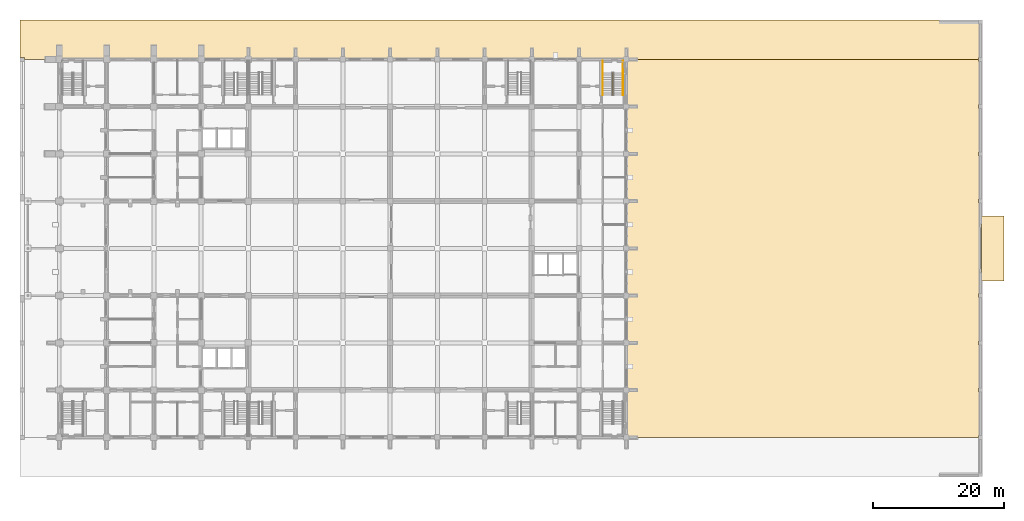
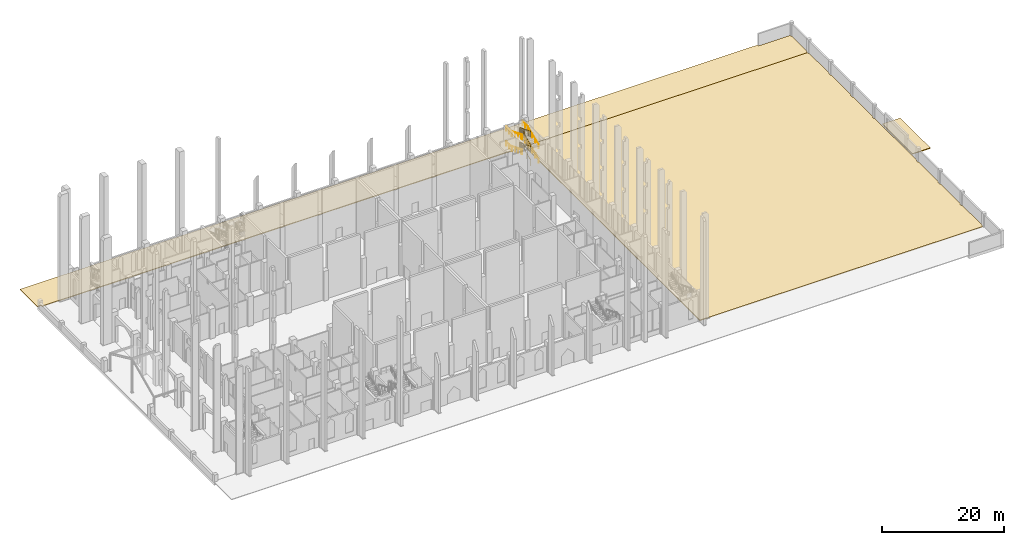
# One storey, part 50 of 50: 5 railings, 3 coverings.
"""IFC4 building model written with IfcOpenShell, lengths in metres."""

from ifc_helpers import new_model, si_unit, direction, frame, origin, origin_2d, place, context, subcontext, project, spatial, polyline, circle, outline, extrude, material, layer, layer_set, type_object, element, save


model = new_model("IFC4")

# Units and contexts
model_context = context("Model", 3, precision=1e-05, world=origin(), true_north=direction((0.0, 1.0)))
body_context = subcontext(model_context, "Body", "Model", "MODEL_VIEW")
ifc_project = project(units=[si_unit("LENGTHUNIT", "METRE"), si_unit("AREAUNIT", "SQUARE_METRE"), si_unit("VOLUMEUNIT", "CUBIC_METRE"), si_unit("PLANEANGLEUNIT", "RADIAN"), si_unit("MASSUNIT", "GRAM", prefix="KILO")], contexts=[model_context])

# Site, building, storey
site_placement = place(None, origin())
site = spatial("IfcSite", under=ifc_project, at=site_placement, CompositionType="ELEMENT")
building_placement = place(site_placement, origin())
building = spatial("IfcBuilding", under=site, at=building_placement, Name="Silangan Lancet Faculty of Sciences", CompositionType="ELEMENT")
storey_placement = place(building_placement, origin())
storey = spatial("IfcBuildingStorey", under=building, at=storey_placement, Name="L00", CompositionType="ELEMENT", Elevation=0.0)

# Coverings
ifc_material_1 = material(Name="Concrete C30/37", Category="concrete")
ifc_layer_1 = layer(ifc_material_1, 0.14990234375)
ifc_layer_set_1 = layer_set([ifc_layer_1], Name="Concrete C30/37")
covering_type_1 = type_object("IfcCoveringType", Name="PAVING 150", PredefinedType="FLOORING", material=ifc_layer_set_1)
covering_1_placement = place(storey_placement, frame((0.0, 0.0, -0.14990234375)))
element("IfcCovering", 1, at=covering_1_placement, inside=storey, type_object=covering_type_1, Name="Paving Fire Lane N", PredefinedType="FLOORING", context=body_context, shape_type="SweptSolid", body=[
    extrude(outline(polyline([(-6.0, 63.60009765625), (-6.0, 57.89990234375), (-5.300048828125, 57.89990234375), (-5.300048828125, 57.60009765625), (140.10009765625, 57.60009765625), (140.10009765625, 57.89990234375), (140.25, 57.89990234375), (140.25, 63.0), (140.10009765625, 63.0), (140.10009765625, 63.300048828125), (134.10009765625, 63.300048828125), (134.10009765625, 63.60009765625), (-6.0, 63.60009765625)])), origin(), (0.0, 0.0, 1.0), 0.14990234375),
])
covering_2_placement = place(storey_placement, frame((0.0, 0.0, -0.14990234375)))
element("IfcCovering", 2, at=covering_2_placement, inside=storey, type_object=covering_type_1, Name="Paving Service Court", PredefinedType="FLOORING", context=body_context, shape_type="SweptSolid", body=[
    extrude(outline(polyline([(86.39990234375, 0.0), (140.10009765625, 0.0), (140.10009765625, 0.300048828125), (140.25, 0.300048828125), (140.25, 6.89990234375), (140.10009765625, 6.89990234375), (140.10009765625, 7.5), (140.25, 7.5), (140.25, 14.10009765625), (140.10009765625, 14.10009765625), (140.10009765625, 14.699951171875), (140.25, 14.699951171875), (140.25, 21.300048828125), (140.10009765625, 21.300048828125), (140.10009765625, 21.89990234375), (140.25, 21.89990234375), (140.25, 35.699951171875), (140.10009765625, 35.699951171875), (140.10009765625, 36.300048828125), (140.25, 36.300048828125), (140.25, 42.89990234375), (140.10009765625, 42.89990234375), (140.10009765625, 43.5), (140.25, 43.5), (140.25, 50.10009765625), (140.10009765625, 50.10009765625), (140.10009765625, 50.699951171875), (140.25, 50.699951171875), (140.25, 57.300048828125), (140.10009765625, 57.300048828125), (140.10009765625, 57.60009765625), (86.39990234375, 57.60009765625), (86.39990234375, 0.0)])), origin(), (0.0, 0.0, 1.0), 0.14990234375),
])
ifc_material_2 = material(Name="Concrete C30/37", Category="concrete")
ifc_layer_2 = layer(ifc_material_2, 0.14990234375)
ifc_layer_set_2 = layer_set([ifc_layer_2], Name="Concrete C30/37")
covering_type_2 = type_object("IfcCoveringType", Name="PAVING APRON 150", PredefinedType="USERDEFINED", material=ifc_layer_set_2)
covering_3_placement = place(storey_placement, frame((0.0, 0.0, -0.14990234375)))
element("IfcCovering", 3, at=covering_3_placement, inside=storey, type_object=covering_type_2, Name="Paving Gate Apron", ObjectType="PAVING", PredefinedType="USERDEFINED", context=body_context, shape_type="SweptSolid", body=[
    extrude(outline(polyline([(140.550048828125, 23.85009765625), (143.949951171875, 23.85009765625), (143.949951171875, 33.75), (140.550048828125, 33.75), (140.550048828125, 23.85009765625)])), origin(), (0.0, 0.0, 1.0), 0.14990234375),
])

# Railings
ifc_material_3 = material(Name="Steel balustrade", Category="steel")
railing_type_1 = type_object("IfcRailingType", Name="STAIR GUARD 1100", PredefinedType="GUARDRAIL", material=ifc_material_3)
railing_1_placement = place(storey_placement, frame((84.39990234375, 52.14990234375, 0.136474609375)))
element("IfcRailing", 4, at=railing_1_placement, inside=storey, type_object=railing_type_1, Name="GUARD-EB-B-L00", PredefinedType="GUARDRAIL", context=body_context, shape_type="SweptSolid", body=[
    extrude(circle(Radius=0.02392578125, at=origin_2d()), frame((0.0, 0.0, 1.076171875), z_axis=(0.0, 0.928154623156, 0.372194835421), x_axis=(-1.0, 0.0, 0.0)), (0.0, 0.0, 1.0), 1.46533203125),
    extrude(circle(Radius=0.02392578125, at=origin_2d()), frame((0.0, 1.360107421875, 1.62158203125), z_axis=(0.0, 0.928154623156, 0.372194835421), x_axis=(-1.0, 0.0, 0.0)), (0.0, 0.0, 1.0), 1.46533203125),
    extrude(circle(Radius=0.02392578125, at=origin_2d()), frame((0.0, 2.72021484375, 2.1669921875), z_axis=(0.0, 0.928131538224, 0.372252397916), x_axis=(-1.0, 0.0, 0.0)), (0.0, 0.0, 1.0), 0.732666015625),
    extrude(circle(Radius=0.02392578125, at=origin_2d()), frame((0.0, 3.400146484375, 2.439453125), z_axis=(-1.0, 0.0, 0.0), x_axis=(0.0, -1.0, 0.0)), (0.0, 0.0, 1.0), 0.099853515625),
    extrude(circle(Radius=0.02392578125, at=origin_2d()), frame((-0.099853515625, 3.400146484375, 2.439453125), z_axis=(0.0, 0.0, 1.0), x_axis=(1.0, 0.0, 0.0)), (0.0, 0.0, 1.0), 0.136474609375),
    extrude(circle(Radius=0.02392578125, at=origin_2d()), frame((-0.099853515625, 3.400146484375, 2.576171875), z_axis=(0.0, -0.928154623156, 0.372194835421), x_axis=(1.0, 0.0, 0.0)), (0.0, 0.0, 1.0), 1.46533203125),
    extrude(circle(Radius=0.02392578125, at=origin_2d()), frame((-0.099853515625, 2.0400390625, 3.12158203125), z_axis=(0.0, -0.928131538224, 0.372252397916), x_axis=(1.0, 0.0, 0.0)), (0.0, 0.0, 1.0), 1.465087890625),
    extrude(circle(Radius=0.02392578125, at=origin_2d()), frame((-0.099853515625, 0.68017578125, 3.6669921875), z_axis=(0.0, -0.928177697381, 0.372137289295), x_axis=(1.0, 0.0, 0.0)), (0.0, 0.0, 1.0), 0.73291015625),
    extrude(circle(Radius=0.02392578125, at=origin_2d()), frame((-0.099853515625, 0.0, 3.939453125), z_axis=(1.0, 0.0, 0.0), x_axis=(0.0, 1.0, 0.0)), (0.0, 0.0, 1.0), 0.099853515625),
    extrude(circle(Radius=0.02392578125, at=origin_2d()), frame((0.0, 0.0, 3.939453125), z_axis=(0.0, 0.0, 1.0), x_axis=(1.0, 0.0, 0.0)), (0.0, 0.0, 1.0), 0.136474609375),
    extrude(circle(Radius=0.02392578125, at=origin_2d()), frame((0.0, 0.0, 4.076171875), z_axis=(0.0, 0.928154623156, 0.372194835421), x_axis=(-1.0, 0.0, 0.0)), (0.0, 0.0, 1.0), 1.46533203125),
    extrude(circle(Radius=0.02392578125, at=origin_2d()), frame((0.0, 1.360107421875, 4.62158203125), z_axis=(0.0, 0.928154623156, 0.372194835421), x_axis=(-1.0, 0.0, 0.0)), (0.0, 0.0, 1.0), 1.46533203125),
    extrude(circle(Radius=0.02392578125, at=origin_2d()), frame((0.0, 2.72021484375, 5.1669921875), z_axis=(0.0, 0.928131538224, 0.372252397916), x_axis=(-1.0, 0.0, 0.0)), (0.0, 0.0, 1.0), 0.732666015625),
    extrude(circle(Radius=0.02392578125, at=origin_2d()), frame((0.0, 3.400146484375, 5.439453125), z_axis=(-1.0, 0.0, 0.0), x_axis=(0.0, -1.0, 0.0)), (0.0, 0.0, 1.0), 0.099853515625),
    extrude(circle(Radius=0.02392578125, at=origin_2d()), frame((-0.099853515625, 3.400146484375, 5.439453125), z_axis=(0.0, 0.0, 1.0), x_axis=(1.0, 0.0, 0.0)), (0.0, 0.0, 1.0), 0.136474609375),
    extrude(circle(Radius=0.02392578125, at=origin_2d()), frame((-0.099853515625, 3.400146484375, 5.576171875), z_axis=(0.0, -0.928154623156, 0.372194835421), x_axis=(1.0, 0.0, 0.0)), (0.0, 0.0, 1.0), 1.46533203125),
    extrude(circle(Radius=0.02392578125, at=origin_2d()), frame((-0.099853515625, 2.0400390625, 6.12158203125), z_axis=(0.0, -0.928131538224, 0.372252397916), x_axis=(1.0, 0.0, 0.0)), (0.0, 0.0, 1.0), 1.465087890625),
    extrude(circle(Radius=0.02392578125, at=origin_2d()), frame((-0.099853515625, 0.68017578125, 6.6669921875), z_axis=(0.0, -0.928177697381, 0.372137289295), x_axis=(1.0, 0.0, 0.0)), (0.0, 0.0, 1.0), 0.73291015625),
    extrude(circle(Radius=0.02392578125, at=origin_2d()), frame((-0.099853515625, 0.0, 6.939453125), z_axis=(1.0, 0.0, 0.0), x_axis=(0.0, 1.0, 0.0)), (0.0, 0.0, 1.0), 0.099853515625),
    extrude(circle(Radius=0.02099609375, at=origin_2d()), origin(), (0.0, 0.0, 1.0), 1.052001953125),
    extrude(circle(Radius=0.02099609375, at=origin_2d()), frame((0.0, 1.360107421875, 0.54541015625)), (0.0, 0.0, 1.0), 1.052001953125),
    extrude(circle(Radius=0.02099609375, at=origin_2d()), frame((0.0, 2.72021484375, 1.0908203125)), (0.0, 0.0, 1.0), 1.052001953125),
    extrude(circle(Radius=0.02099609375, at=origin_2d()), frame((0.0, 3.400146484375, 1.363525390625)), (0.0, 0.0, 1.0), 1.052001953125),
    extrude(circle(Radius=0.02099609375, at=origin_2d()), frame((-0.099853515625, 3.400146484375, 1.363525390625)), (0.0, 0.0, 1.0), 1.052001953125),
    extrude(circle(Radius=0.02099609375, at=origin_2d()), frame((-0.099853515625, 3.400146484375, 1.5)), (0.0, 0.0, 1.0), 1.052001953125),
    extrude(circle(Radius=0.02099609375, at=origin_2d()), frame((-0.099853515625, 2.0400390625, 2.04541015625)), (0.0, 0.0, 1.0), 1.052001953125),
    extrude(circle(Radius=0.02099609375, at=origin_2d()), frame((-0.099853515625, 0.68017578125, 2.5908203125)), (0.0, 0.0, 1.0), 1.052001953125),
    extrude(circle(Radius=0.02099609375, at=origin_2d()), frame((-0.099853515625, 0.0, 2.863525390625)), (0.0, 0.0, 1.0), 1.052001953125),
    extrude(circle(Radius=0.02099609375, at=origin_2d()), frame((0.0, 0.0, 2.863525390625)), (0.0, 0.0, 1.0), 1.052001953125),
    extrude(circle(Radius=0.02099609375, at=origin_2d()), frame((0.0, 0.0, 3.0)), (0.0, 0.0, 1.0), 1.052001953125),
    extrude(circle(Radius=0.02099609375, at=origin_2d()), frame((0.0, 1.360107421875, 3.54541015625)), (0.0, 0.0, 1.0), 1.052001953125),
    extrude(circle(Radius=0.02099609375, at=origin_2d()), frame((0.0, 2.72021484375, 4.0908203125)), (0.0, 0.0, 1.0), 1.052001953125),
    extrude(circle(Radius=0.02099609375, at=origin_2d()), frame((0.0, 3.400146484375, 4.363525390625)), (0.0, 0.0, 1.0), 1.052001953125),
    extrude(circle(Radius=0.02099609375, at=origin_2d()), frame((-0.099853515625, 3.400146484375, 4.363525390625)), (0.0, 0.0, 1.0), 1.052001953125),
    extrude(circle(Radius=0.02099609375, at=origin_2d()), frame((-0.099853515625, 3.400146484375, 4.5)), (0.0, 0.0, 1.0), 1.052001953125),
    extrude(circle(Radius=0.02099609375, at=origin_2d()), frame((-0.099853515625, 2.0400390625, 5.04541015625)), (0.0, 0.0, 1.0), 1.052001953125),
    extrude(circle(Radius=0.02099609375, at=origin_2d()), frame((-0.099853515625, 0.68017578125, 5.5908203125)), (0.0, 0.0, 1.0), 1.052001953125),
    extrude(circle(Radius=0.02099609375, at=origin_2d()), frame((-0.099853515625, 0.0, 5.863525390625)), (0.0, 0.0, 1.0), 1.052001953125),
    extrude(circle(Radius=0.02099609375, at=origin_2d()), frame((0.0, 0.0, 5.863525390625)), (0.0, 0.0, 1.0), 1.052001953125),
])
ifc_material_4 = material(Name="Stainless steel", Category="steel")
railing_type_2 = type_object("IfcRailingType", Name="STAIR HANDRAIL 865", PredefinedType="HANDRAIL", material=ifc_material_4)
railing_2_placement = place(storey_placement, frame((85.89990234375, 52.14990234375, 0.136474609375)))
element("IfcRailing", 5, at=railing_2_placement, inside=storey, type_object=railing_type_2, Name="HANDRAIL-EB-B-L00-O1", PredefinedType="HANDRAIL", context=body_context, shape_type="SweptSolid", body=[
    extrude(circle(Radius=0.02392578125, at=origin_2d()), frame((0.0, 0.0, 0.8408203125), z_axis=(0.0, 0.9281852992, 0.372118328425), x_axis=(-1.0, 0.0, 0.0)), (0.0, 0.0, 1.0), 1.098876953125),
    extrude(circle(Radius=0.02392578125, at=origin_2d()), frame((0.0, 1.02001953125, 1.25), z_axis=(0.0, 0.928108552846, 0.372309701908), x_axis=(-1.0, 0.0, 0.0)), (0.0, 0.0, 1.0), 1.09912109375),
    extrude(circle(Radius=0.02392578125, at=origin_2d()), frame((0.0, 2.0400390625, 1.6591796875), z_axis=(0.0, 0.9281852992, 0.372118328425), x_axis=(-1.0, 0.0, 0.0)), (0.0, 0.0, 1.0), 1.098876953125),
    extrude(circle(Radius=0.02392578125, at=origin_2d()), frame((0.0, 3.06005859375, 2.06787109375), z_axis=(0.0, 0.928062591398, 0.372424255988), x_axis=(-1.0, 0.0, 0.0)), (0.0, 0.0, 1.0), 0.366455078125),
    extrude(circle(Radius=0.02392578125, at=origin_2d()), frame((0.0, 3.400146484375, 2.20458984375), z_axis=(0.0, 1.0, 0.0), x_axis=(-1.0, 0.0, 0.0)), (0.0, 0.0, 1.0), 1.849853515625),
    extrude(circle(Radius=0.02099609375, at=origin_2d()), origin(), (0.0, 0.0, 1.0), 0.81689453125),
    extrude(circle(Radius=0.02099609375, at=origin_2d()), frame((0.0, 1.02001953125, 0.408935546875)), (0.0, 0.0, 1.0), 0.81689453125),
    extrude(circle(Radius=0.02099609375, at=origin_2d()), frame((0.0, 2.0400390625, 0.818115234375)), (0.0, 0.0, 1.0), 0.81689453125),
    extrude(circle(Radius=0.02099609375, at=origin_2d()), frame((0.0, 3.06005859375, 1.22705078125)), (0.0, 0.0, 1.0), 0.81689453125),
    extrude(circle(Radius=0.02099609375, at=origin_2d()), frame((0.0, 3.400146484375, 1.363525390625)), (0.0, 0.0, 1.0), 0.81689453125),
    extrude(circle(Radius=0.02099609375, at=origin_2d()), frame((0.0, 4.3251953125, 1.363525390625)), (0.0, 0.0, 1.0), 0.81689453125),
    extrude(circle(Radius=0.02099609375, at=origin_2d()), frame((0.0, 5.25, 1.363525390625)), (0.0, 0.0, 1.0), 0.81689453125),
])
railing_3_placement = place(storey_placement, frame((82.800048828125, 57.39990234375, 1.5)))
element("IfcRailing", 6, at=railing_3_placement, inside=storey, type_object=railing_type_2, Name="HANDRAIL-EB-B-L00-O2", PredefinedType="HANDRAIL", context=body_context, shape_type="SweptSolid", body=[
    extrude(circle(Radius=0.02392578125, at=origin_2d()), frame((0.0, 0.0, 0.8408203125), z_axis=(0.0, -1.0, 0.0), x_axis=(1.0, 0.0, 0.0)), (0.0, 0.0, 1.0), 1.849853515625),
    extrude(circle(Radius=0.02392578125, at=origin_2d()), frame((0.0, -1.849853515625, 0.8408203125), z_axis=(0.0, 0.0, 1.0), x_axis=(1.0, 0.0, 0.0)), (0.0, 0.0, 1.0), 0.136474609375),
    extrude(circle(Radius=0.02392578125, at=origin_2d()), frame((0.0, -1.849853515625, 0.9775390625), z_axis=(0.0, -0.9281852992, 0.372118328425), x_axis=(1.0, 0.0, 0.0)), (0.0, 0.0, 1.0), 1.098876953125),
    extrude(circle(Radius=0.02392578125, at=origin_2d()), frame((0.0, -2.869873046875, 1.38623046875), z_axis=(0.0, -0.928108552846, 0.372309701908), x_axis=(1.0, 0.0, 0.0)), (0.0, 0.0, 1.0), 1.09912109375),
    extrude(circle(Radius=0.02392578125, at=origin_2d()), frame((0.0, -3.889892578125, 1.79541015625), z_axis=(0.0, -0.9281852992, 0.372118328425), x_axis=(1.0, 0.0, 0.0)), (0.0, 0.0, 1.0), 1.098876953125),
    extrude(circle(Radius=0.02392578125, at=origin_2d()), frame((0.0, -4.909912109375, 2.20458984375), z_axis=(0.0, -0.928062591398, 0.372424255988), x_axis=(1.0, 0.0, 0.0)), (0.0, 0.0, 1.0), 0.366455078125),
    extrude(circle(Radius=0.02099609375, at=origin_2d()), origin(), (0.0, 0.0, 1.0), 0.81689453125),
    extrude(circle(Radius=0.02099609375, at=origin_2d()), frame((0.0, -0.9248046875, 0.0)), (0.0, 0.0, 1.0), 0.81689453125),
    extrude(circle(Radius=0.02099609375, at=origin_2d()), frame((0.0, -1.849853515625, 0.0)), (0.0, 0.0, 1.0), 0.81689453125),
    extrude(circle(Radius=0.02099609375, at=origin_2d()), frame((0.0, -1.849853515625, 0.136474609375)), (0.0, 0.0, 1.0), 0.81689453125),
    extrude(circle(Radius=0.02099609375, at=origin_2d()), frame((0.0, -2.869873046875, 0.54541015625)), (0.0, 0.0, 1.0), 0.81689453125),
    extrude(circle(Radius=0.02099609375, at=origin_2d()), frame((0.0, -3.889892578125, 0.95458984375)), (0.0, 0.0, 1.0), 0.81689453125),
    extrude(circle(Radius=0.02099609375, at=origin_2d()), frame((0.0, -4.909912109375, 1.363525390625)), (0.0, 0.0, 1.0), 0.81689453125),
    extrude(circle(Radius=0.02099609375, at=origin_2d()), frame((0.0, -5.25, 1.5)), (0.0, 0.0, 1.0), 0.81689453125),
])
railing_4_placement = place(storey_placement, frame((85.89990234375, 52.14990234375, 3.136474609375)))
element("IfcRailing", 7, at=railing_4_placement, inside=storey, type_object=railing_type_2, Name="HANDRAIL-EB-B-L00-O3", PredefinedType="HANDRAIL", context=body_context, shape_type="SweptSolid", body=[
    extrude(circle(Radius=0.02392578125, at=origin_2d()), frame((0.0, 0.0, 0.8408203125), z_axis=(0.0, 0.9281852992, 0.372118328425), x_axis=(-1.0, 0.0, 0.0)), (0.0, 0.0, 1.0), 1.098876953125),
    extrude(circle(Radius=0.02392578125, at=origin_2d()), frame((0.0, 1.02001953125, 1.25), z_axis=(0.0, 0.928108552846, 0.372309701908), x_axis=(-1.0, 0.0, 0.0)), (0.0, 0.0, 1.0), 1.09912109375),
    extrude(circle(Radius=0.02392578125, at=origin_2d()), frame((0.0, 2.0400390625, 1.6591796875), z_axis=(0.0, 0.9281852992, 0.372118328425), x_axis=(-1.0, 0.0, 0.0)), (0.0, 0.0, 1.0), 1.098876953125),
    extrude(circle(Radius=0.02392578125, at=origin_2d()), frame((0.0, 3.06005859375, 2.06787109375), z_axis=(0.0, 0.928062591398, 0.372424255988), x_axis=(-1.0, 0.0, 0.0)), (0.0, 0.0, 1.0), 0.366455078125),
    extrude(circle(Radius=0.02392578125, at=origin_2d()), frame((0.0, 3.400146484375, 2.20458984375), z_axis=(0.0, 1.0, 0.0), x_axis=(-1.0, 0.0, 0.0)), (0.0, 0.0, 1.0), 1.849853515625),
    extrude(circle(Radius=0.02099609375, at=origin_2d()), origin(), (0.0, 0.0, 1.0), 0.81689453125),
    extrude(circle(Radius=0.02099609375, at=origin_2d()), frame((0.0, 1.02001953125, 0.408935546875)), (0.0, 0.0, 1.0), 0.81689453125),
    extrude(circle(Radius=0.02099609375, at=origin_2d()), frame((0.0, 2.0400390625, 0.818115234375)), (0.0, 0.0, 1.0), 0.81689453125),
    extrude(circle(Radius=0.02099609375, at=origin_2d()), frame((0.0, 3.06005859375, 1.22705078125)), (0.0, 0.0, 1.0), 0.81689453125),
    extrude(circle(Radius=0.02099609375, at=origin_2d()), frame((0.0, 3.400146484375, 1.363525390625)), (0.0, 0.0, 1.0), 0.81689453125),
    extrude(circle(Radius=0.02099609375, at=origin_2d()), frame((0.0, 4.3251953125, 1.363525390625)), (0.0, 0.0, 1.0), 0.81689453125),
    extrude(circle(Radius=0.02099609375, at=origin_2d()), frame((0.0, 5.25, 1.363525390625)), (0.0, 0.0, 1.0), 0.81689453125),
])
railing_5_placement = place(storey_placement, frame((82.800048828125, 57.39990234375, 4.5)))
element("IfcRailing", 8, at=railing_5_placement, inside=storey, type_object=railing_type_2, Name="HANDRAIL-EB-B-L00-O4", PredefinedType="HANDRAIL", context=body_context, shape_type="SweptSolid", body=[
    extrude(circle(Radius=0.02392578125, at=origin_2d()), frame((0.0, 0.0, 0.8408203125), z_axis=(0.0, -1.0, 0.0), x_axis=(1.0, 0.0, 0.0)), (0.0, 0.0, 1.0), 1.849853515625),
    extrude(circle(Radius=0.02392578125, at=origin_2d()), frame((0.0, -1.849853515625, 0.8408203125), z_axis=(0.0, 0.0, 1.0), x_axis=(1.0, 0.0, 0.0)), (0.0, 0.0, 1.0), 0.136474609375),
    extrude(circle(Radius=0.02392578125, at=origin_2d()), frame((0.0, -1.849853515625, 0.9775390625), z_axis=(0.0, -0.9281852992, 0.372118328425), x_axis=(1.0, 0.0, 0.0)), (0.0, 0.0, 1.0), 1.098876953125),
    extrude(circle(Radius=0.02392578125, at=origin_2d()), frame((0.0, -2.869873046875, 1.38623046875), z_axis=(0.0, -0.928108552846, 0.372309701908), x_axis=(1.0, 0.0, 0.0)), (0.0, 0.0, 1.0), 1.09912109375),
    extrude(circle(Radius=0.02392578125, at=origin_2d()), frame((0.0, -3.889892578125, 1.79541015625), z_axis=(0.0, -0.9281852992, 0.372118328425), x_axis=(1.0, 0.0, 0.0)), (0.0, 0.0, 1.0), 1.098876953125),
    extrude(circle(Radius=0.02392578125, at=origin_2d()), frame((0.0, -4.909912109375, 2.20458984375), z_axis=(0.0, -0.928062591398, 0.372424255988), x_axis=(1.0, 0.0, 0.0)), (0.0, 0.0, 1.0), 0.366455078125),
    extrude(circle(Radius=0.02099609375, at=origin_2d()), origin(), (0.0, 0.0, 1.0), 0.81689453125),
    extrude(circle(Radius=0.02099609375, at=origin_2d()), frame((0.0, -0.9248046875, 0.0)), (0.0, 0.0, 1.0), 0.81689453125),
    extrude(circle(Radius=0.02099609375, at=origin_2d()), frame((0.0, -1.849853515625, 0.0)), (0.0, 0.0, 1.0), 0.81689453125),
    extrude(circle(Radius=0.02099609375, at=origin_2d()), frame((0.0, -1.849853515625, 0.136474609375)), (0.0, 0.0, 1.0), 0.81689453125),
    extrude(circle(Radius=0.02099609375, at=origin_2d()), frame((0.0, -2.869873046875, 0.54541015625)), (0.0, 0.0, 1.0), 0.81689453125),
    extrude(circle(Radius=0.02099609375, at=origin_2d()), frame((0.0, -3.889892578125, 0.95458984375)), (0.0, 0.0, 1.0), 0.81689453125),
    extrude(circle(Radius=0.02099609375, at=origin_2d()), frame((0.0, -4.909912109375, 1.363525390625)), (0.0, 0.0, 1.0), 0.81689453125),
    extrude(circle(Radius=0.02099609375, at=origin_2d()), frame((0.0, -5.25, 1.5)), (0.0, 0.0, 1.0), 0.81689453125),
])

save(model, "model.ifc")
